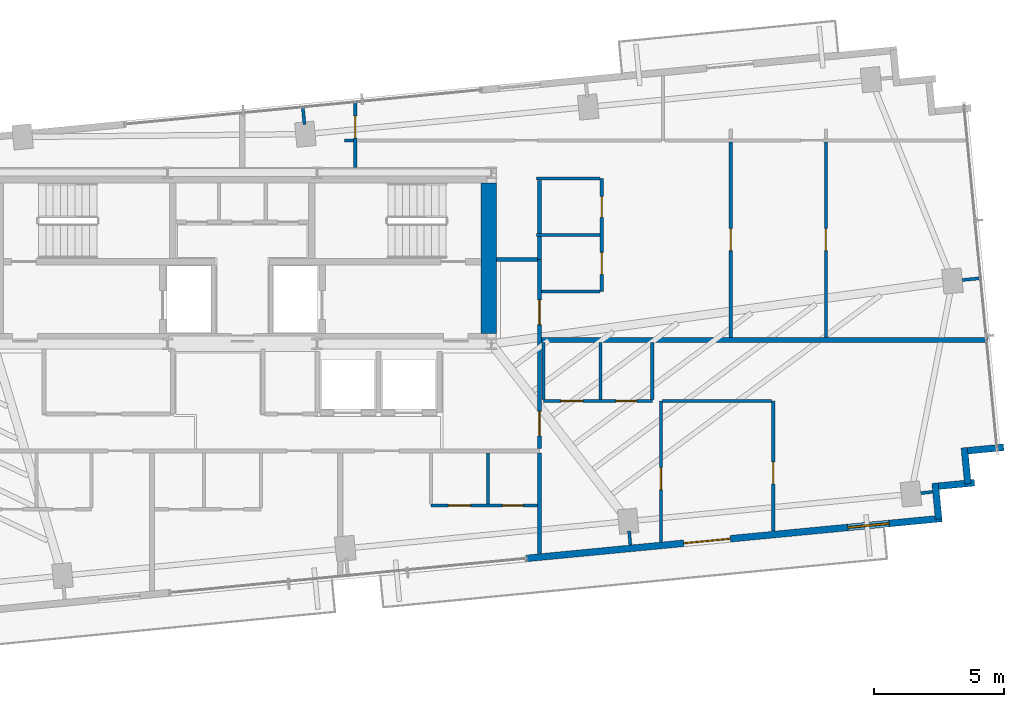
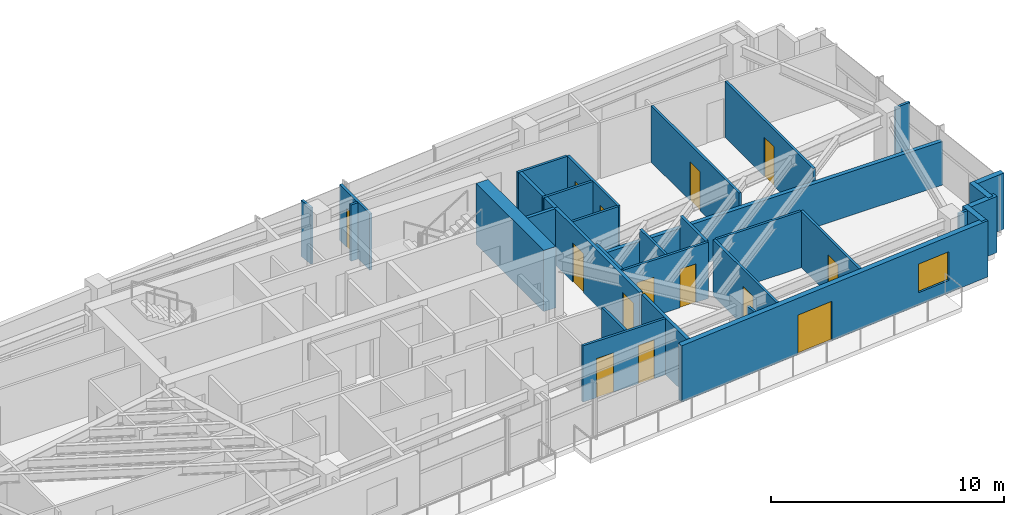
# One storey, part 15 of 18: 33 walls, 14 doors, 1 window, 15 openings.
"""IFC4 building model written with IfcOpenShell, lengths in metres."""

from ifc_helpers import new_model, si_unit, direction, frame, frame_2d, origin, place, context, subcontext, project, spatial, rectangle, extrude, source, transform, mapped, material, layer, layer_set, type_object, type_shapes, element, fill, save


model = new_model("IFC4")

# Units and contexts
model_context = context("Model", 3, precision=1e-05, world=origin(), true_north=direction((0.0, 1.0)))
body_context = subcontext(model_context, "Body", "Model", "MODEL_VIEW")
ifc_project = project(units=[si_unit("LENGTHUNIT", "METRE"), si_unit("AREAUNIT", "SQUARE_METRE"), si_unit("VOLUMEUNIT", "CUBIC_METRE"), si_unit("PLANEANGLEUNIT", "RADIAN"), si_unit("MASSUNIT", "GRAM", prefix="KILO")], contexts=[model_context])

# Site, building, storey
site_placement = place(None, origin())
site = spatial("IfcSite", under=ifc_project, at=site_placement, CompositionType="ELEMENT")
building_placement = place(site_placement, origin())
building = spatial("IfcBuilding", under=site, at=building_placement, Name="Astriad Promenade Condominiums", CompositionType="ELEMENT")
storey_placement = place(building_placement, frame((0.0, 0.0, 192.199951171875)))
storey = spatial("IfcBuildingStorey", under=building, at=storey_placement, Name="L55", CompositionType="ELEMENT", Elevation=192.199951171875)

# Walls
ifc_material_1 = material(Name="Concrete C50/60", Category="concrete")
ifc_layer_1 = layer(ifc_material_1, 0.60009765625)
ifc_layer_set_1 = layer_set([ifc_layer_1], Name="Concrete C50/60")
wall_type_1 = type_object("IfcWallType", Name="CW-SHEAR-600", PredefinedType="SHEAR", material=ifc_layer_set_1)
wall_1_placement = place(storey_placement, frame((45.5, 17.802001953125, 0.0), z_axis=(0.0, 0.0, 1.0), x_axis=(0.0, 1.0, 0.0)))
element("IfcWall", 1, at=wall_1_placement, inside=storey, type_object=wall_type_1, Name="CW-CORE-E-L55", PredefinedType="SHEAR", context=body_context, shape_type="SweptSolid", body=[
    extrude(rectangle(XDim=5.7958984375, YDim=0.60009765625, at=frame_2d((2.89794921875, 0.0))), origin(), (0.0, 0.0, 1.0), 3.199951171875),
])
ifc_material_2 = material(Name="Fire-Rated Gypsum Partition")
ifc_layer_2 = layer(ifc_material_2, 0.159912109375)
ifc_layer_set_2 = layer_set([ifc_layer_2], Name="Fire-Rated Gypsum Partition")
wall_type_2 = type_object("IfcWallType", Name="WALL-CORR-160", PredefinedType="PARTITIONING", material=ifc_layer_set_2)
wall_2_placement = place(storey_placement, frame((47.449951171875, 9.315185546875, 0.0), z_axis=(0.0, 0.0, 1.0), x_axis=(0.0, 1.0, 0.0)))
element("IfcWall", 2, at=wall_2_placement, inside=storey, type_object=wall_type_2, Name="PT-COR-E-L55", PredefinedType="PARTITIONING", context=body_context, shape_type="SweptSolid", body=[
    extrude(rectangle(XDim=3.8828125, YDim=0.159912109375, at=frame_2d((1.94140625, 0.0))), origin(), (0.0, 0.0, 1.0), 2.93994140625),
])

# Wall, openings, doors
wall_3_placement = place(storey_placement, frame((47.449951171875, 13.362060546875, 0.0), z_axis=(0.0, 0.0, 1.0), x_axis=(0.0, 1.0, 0.0)))
wall_3 = element("IfcWall", 3, at=wall_3_placement, inside=storey, type_object=wall_type_2, Name="PT-COR-E-L55-S2", PredefinedType="PARTITIONING", context=body_context, shape_type="SweptSolid", body=[
    extrude(rectangle(XDim=7.287841796875, YDim=0.159912109375, at=frame_2d((3.64404296875, 0.0))), origin(), (0.0, 0.0, 1.0), 2.93994140625),
])
opening_1_placement = place(wall_3_placement, frame((0.492919921875, 0.0, 0.0)))
opening_1 = element("IfcOpeningElement", 4, at=opening_1_placement, cuts=wall_3, Name="Opening FD60-APT-095", PredefinedType="OPENING", context=body_context, shape_type="SweptSolid", body=[
    extrude(rectangle(XDim=0.949951171875, YDim=2.06005859375, at=frame_2d((0.47509765625, 1.030029296875))), frame((0.0, 0.08984375, 0.0), z_axis=(0.0, -1.0, 0.0), x_axis=(1.0, 0.0, 0.0)), (0.0, 0.0, 1.0), 0.179931640625),
])
opening_2_placement = place(wall_3_placement, frame((4.782958984375, 0.0, 0.0)))
opening_2 = element("IfcOpeningElement", 5, at=opening_2_placement, cuts=wall_3, Name="Opening FD60-APT-095", PredefinedType="OPENING", context=body_context, shape_type="SweptSolid", body=[
    extrude(rectangle(XDim=0.949951171875, YDim=2.06005859375, at=frame_2d((0.47509765625, 1.030029296875))), frame((0.0, 0.08984375, 0.0), z_axis=(0.0, -1.0, 0.0), x_axis=(1.0, 0.0, 0.0)), (0.0, 0.0, 1.0), 0.179931640625),
])
ifc_material_3 = material(Name="Solid-Core Acoustic Timber Residence Entry Door", Category="wood")
door_type_1 = type_object("IfcDoorType", Name="FD60-APT-095", OperationType="NOTDEFINED", PredefinedType="DOOR", material=ifc_material_3)
shared_shape_1 = source(origin(), body_context, "Body", "SweptSolid", [
    extrude(rectangle(XDim=0.949951171875, YDim=2.06005859375, at=frame_2d((0.47509765625, 1.030029296875))), frame((0.0, 0.02490234375, 0.0), z_axis=(0.0, -1.0, 0.0), x_axis=(1.0, 0.0, 0.0)), (0.0, 0.0, 1.0), 0.050048828125),
])
type_shapes(door_type_1, [shared_shape_1])
door_1_placement = place(opening_1_placement, origin())
door_1 = element("IfcDoor", 6, at=door_1_placement, inside=storey, type_object=door_type_1, Name="D-ENT-L55-E1", OperationType="SINGLE_SWING_RIGHT", OverallHeight=2.06005859375, OverallWidth=0.949951171875, PredefinedType="DOOR", context=body_context, shape_type="MappedRepresentation", body=[
    mapped(shared_shape_1, transform((0.0, 0.0, 0.0), scale=1.0)),
])
fill(opening_1, door_1)
door_2_placement = place(opening_2_placement, origin())
door_2 = element("IfcDoor", 7, at=door_2_placement, inside=storey, type_object=door_type_1, Name="D-ENT-L55-E2", OperationType="SINGLE_SWING_LEFT", OverallHeight=2.06005859375, OverallWidth=0.949951171875, PredefinedType="DOOR", context=body_context, shape_type="MappedRepresentation", body=[
    mapped(shared_shape_1, transform((0.0, 0.0, 0.0), scale=1.0)),
])
fill(opening_2, door_2)

# Walls
wall_4_placement = place(storey_placement, frame((45.802001953125, 20.64990234375, 0.0), z_axis=(0.0, 0.0, 1.0), x_axis=(1.0, 0.0, 0.0)))
element("IfcWall", 8, at=wall_4_placement, inside=storey, type_object=wall_type_2, Name="PT-Z3E-N-L55", PredefinedType="PARTITIONING", context=body_context, shape_type="SweptSolid", body=[
    extrude(rectangle(XDim=1.56591796875, YDim=0.159912109375, at=frame_2d((0.782958984375, 0.0))), origin(), (0.0, 0.0, 1.0), 2.93994140625),
])
wall_5_placement = place(storey_placement, frame((47.449951171875, 20.64990234375, 0.0), z_axis=(0.0, 0.0, 1.0), x_axis=(0.0, 1.0, 0.0)))
element("IfcWall", 9, at=wall_5_placement, inside=storey, type_object=wall_type_2, Name="PT-L55-E2-PBK", PredefinedType="PARTITIONING", context=body_context, shape_type="SweptSolid", body=[
    extrude(rectangle(XDim=0.883056640625, YDim=0.159912109375, at=frame_2d((0.44140625, 0.0))), origin(), (0.0, 0.0, 1.0), 2.93994140625),
])
wall_6_placement = place(storey_placement, frame((47.449951171875, 21.656982421875, 0.0), z_axis=(0.0, 0.0, 1.0), x_axis=(0.0, 1.0, 0.0)))
element("IfcWall", 10, at=wall_6_placement, inside=storey, type_object=wall_type_2, Name="PT-L55-E2-PBK-S2", PredefinedType="PARTITIONING", context=body_context, shape_type="SweptSolid", body=[
    extrude(rectangle(XDim=2.051025390625, YDim=0.159912109375, at=frame_2d((1.025390625, 0.0))), origin(), (0.0, 0.0, 1.0), 2.93994140625),
])
ifc_material_4 = material(Name="Acoustic Double-Stud Gypsum Partition")
ifc_layer_3 = layer(ifc_material_4, 0.199951171875)
ifc_layer_set_3 = layer_set([ifc_layer_3], Name="Acoustic Double-Stud Gypsum Partition")
wall_type_3 = type_object("IfcWallType", Name="WALL-DEMISING-200", PredefinedType="PARTITIONING", material=ifc_layer_set_3)
wall_7_placement = place(storey_placement, frame((47.531982421875, 17.550048828125, 0.0), z_axis=(0.0, 0.0, 1.0), x_axis=(1.0, 0.0, 0.0)))
element("IfcWall", 11, at=wall_7_placement, inside=storey, type_object=wall_type_3, Name="PT-DEM-EE-L55", PredefinedType="PARTITIONING", context=body_context, shape_type="SweptSolid", body=[
    extrude(rectangle(XDim=17.200927734375, YDim=0.199951171875, at=frame_2d((8.6005859375, 0.0))), origin(), (0.0, 0.0, 1.0), 2.281494140625),
])
ifc_material_5 = material(Name="Precast concrete C50/60", Category="concrete")
ifc_layer_4 = layer(ifc_material_5, 0.260009765625)
ifc_layer_set_4 = layer_set([ifc_layer_4], Name="Precast concrete C50/60")
wall_type_4 = type_object("IfcWallType", Name="WALL-EXT-TWR-260", PredefinedType="STANDARD", material=ifc_layer_set_4)
wall_8_placement = place(storey_placement, frame((65.341796875, 13.416748046875, 0.0), z_axis=(0.0, 0.0, 1.0), x_axis=(-0.99540774648, -0.095725744959, 0.0)))
element("IfcWall", 12, at=wall_8_placement, inside=storey, type_object=wall_type_4, Name="W-SER-L55-14", PredefinedType="STANDARD", context=body_context, shape_type="SweptSolid", body=[
    extrude(rectangle(XDim=1.39501953125, YDim=0.260009765625, at=frame_2d((0.697509765625, 0.0))), origin(), (0.0, 0.0, 1.0), 2.93994140625),
])
wall_9_placement = place(storey_placement, frame((63.826171875, 13.4013671875, 0.0), z_axis=(0.0, 0.0, 1.0), x_axis=(0.095915846097, -0.995389446633, 0.0)))
element("IfcWall", 13, at=wall_9_placement, inside=storey, type_object=wall_type_4, Name="W-SER-L55-15", PredefinedType="STANDARD", context=body_context, shape_type="SweptSolid", body=[
    extrude(rectangle(XDim=1.394775390625, YDim=0.260009765625, at=frame_2d((0.697265625, 0.0))), origin(), (0.0, 0.0, 1.0), 2.93994140625),
])
for number, where, z_axis, x_axis, name in (
    (14, (64.21728515625, 12.052734375, 0.0), (0.0, 0.0, 1.0), (-0.99540774648, -0.095725744959, 0.0), "W-SER-L55-16"),
    (15, (62.701904296875, 12.037353515625, 0.0), (0.0, 0.0, 1.0), (0.095725744959, -0.99540774648, 0.0), "W-SER-L55-17"),
):
    element("IfcWall", number, at=place(storey_placement, frame(where, z_axis=z_axis, x_axis=x_axis)), inside=storey, type_object=wall_type_4, Name=name, PredefinedType="STANDARD", context=body_context, shape_type="SweptSolid", body=[
        extrude(rectangle(XDim=1.39501953125, YDim=0.260009765625, at=frame_2d((0.697509765625, 0.0))), origin(), (0.0, 0.0, 1.0), 2.93994140625),
    ])

# Wall, openings, door, window
wall_10_placement = place(storey_placement, frame((62.96337890625, 10.67626953125, 0.0), z_axis=(0.0, 0.0, 1.0), x_axis=(-0.995395627913, -0.095851676732, 0.0)))
wall_10 = element("IfcWall", 16, at=wall_10_placement, inside=storey, type_object=wall_type_4, Name="W-EXT-L55-S1", PredefinedType="STANDARD", context=body_context, shape_type="SweptSolid", body=[
    extrude(rectangle(XDim=16.10009765625, YDim=0.260009765625, at=frame_2d((8.050048828125, 0.0))), origin(), (0.0, 0.0, 1.0), 2.93994140625),
])
opening_3_placement = place(wall_10_placement, frame((8.19189453125, 0.0, 0.0)))
opening_3 = element("IfcOpeningElement", 17, at=opening_3_placement, cuts=wall_10, Name="Opening BD-1822-SLD", PredefinedType="OPENING", context=body_context, shape_type="SweptSolid", body=[
    extrude(rectangle(XDim=1.800048828125, YDim=2.06005859375, at=frame_2d((0.89990234375, 1.030029296875))), frame((0.0, 0.139892578125, 0.0), z_axis=(0.0, -1.0, 0.0), x_axis=(1.0, 0.0, 0.0)), (0.0, 0.0, 1.0), 0.280029296875),
])
opening_4_placement = place(wall_10_placement, frame((2.050048828125, 0.0, 0.64990234375)))
opening_4 = element("IfcOpeningElement", 18, at=opening_4_placement, cuts=wall_10, Name="Opening WIN-TWR-1620", PredefinedType="OPENING", context=body_context, shape_type="SweptSolid", body=[
    extrude(rectangle(XDim=1.60009765625, YDim=1.5, at=frame_2d((0.800048828125, 0.75))), frame((0.0, 0.139892578125, 0.0), z_axis=(0.0, -1.0, 0.0), x_axis=(1.0, 0.0, 0.0)), (0.0, 0.0, 1.0), 0.280029296875),
])
ifc_material_6 = material(Name="Thermally Broken Aluminium Sliding Balcony Door", Category="aluminium")
door_type_2 = type_object("IfcDoorType", Name="BD-1822-SLD", OperationType="NOTDEFINED", PredefinedType="DOOR", material=ifc_material_6)
shared_shape_2 = source(origin(), body_context, "Body", "SweptSolid", [
    extrude(rectangle(XDim=1.800048828125, YDim=2.06005859375, at=frame_2d((0.89990234375, 1.030029296875))), frame((0.0, 0.02490234375, 0.0), z_axis=(0.0, -1.0, 0.0), x_axis=(1.0, 0.0, 0.0)), (0.0, 0.0, 1.0), 0.050048828125),
])
type_shapes(door_type_2, [shared_shape_2])
door_3_placement = place(opening_3_placement, origin())
door_3 = element("IfcDoor", 19, at=door_3_placement, inside=storey, type_object=door_type_2, Name="BD-L55-SE", OperationType="SLIDING_TO_RIGHT", OverallHeight=2.06005859375, OverallWidth=1.800048828125, PredefinedType="DOOR", context=body_context, shape_type="MappedRepresentation", body=[
    mapped(shared_shape_2, transform((0.0, 0.0, 0.0), scale=1.0)),
])
fill(opening_3, door_3)
ifc_material_7 = material(Name="Dark Tinted Triple-Glazed Aluminium Window", Category="aluminium")
window_type = type_object("IfcWindowType", Name="WIN-TWR-1620", PartitioningType="SINGLE_PANEL", PredefinedType="WINDOW", material=ifc_material_7)
shared_shape_3 = source(origin(), body_context, "Body", "SweptSolid", [
    extrude(rectangle(XDim=1.60009765625, YDim=1.5, at=frame_2d((0.800048828125, 0.75))), frame((0.0, 0.030029296875, 0.0), z_axis=(0.0, -1.0, 0.0), x_axis=(1.0, 0.0, 0.0)), (0.0, 0.0, 1.0), 0.06005859375),
])
type_shapes(window_type, [shared_shape_3])
window_placement = place(opening_4_placement, origin())
window = element("IfcWindow", 20, at=window_placement, inside=storey, type_object=window_type, Name="WIN-L55-SE", OverallHeight=1.5, OverallWidth=1.60009765625, PartitioningType="SINGLE_PANEL", PredefinedType="WINDOW", context=body_context, shape_type="MappedRepresentation", body=[
    mapped(shared_shape_3, transform((0.0, 0.0, 0.0), scale=1.0)),
])
fill(opening_4, window)

# Wall, openings, doors
ifc_material_8 = material(Name="Acoustic Metal-Stud Gypsum Partition")
ifc_layer_5 = layer(ifc_material_8, 0.1201171875)
ifc_layer_set_5 = layer_set([ifc_layer_5], Name="Acoustic Metal-Stud Gypsum Partition")
wall_type_5 = type_object("IfcWallType", Name="WALL-PART-120", PredefinedType="PARTITIONING", material=ifc_layer_set_5)
wall_11_placement = place(storey_placement, frame((43.27001953125, 11.172119140625, 0.0), z_axis=(0.0, 0.0, 1.0), x_axis=(1.0, 0.0, 0.0)))
wall_11 = element("IfcWall", 21, at=wall_11_placement, inside=storey, type_object=wall_type_5, Name="PT-L55-S3-PS", PredefinedType="PARTITIONING", context=body_context, shape_type="SweptSolid", body=[
    extrude(rectangle(XDim=4.097900390625, YDim=0.1201171875, at=frame_2d((2.048828125, 0.0))), origin(), (0.0, 0.0, 1.0), 2.93994140625),
])
opening_5_placement = place(wall_11_placement, frame((0.675048828125, 0.0, 0.0)))
opening_5 = element("IfcOpeningElement", 22, at=opening_5_placement, cuts=wall_11, Name="Opening D-INT-085", PredefinedType="OPENING", context=body_context, shape_type="SweptSolid", body=[
    extrude(rectangle(XDim=0.85009765625, YDim=2.050048828125, at=frame_2d((0.425048828125, 1.02490234375))), frame((0.0, 0.070068359375, 0.0), z_axis=(0.0, -1.0, 0.0), x_axis=(1.0, 0.0, 0.0)), (0.0, 0.0, 1.0), 0.14013671875),
])
opening_6_placement = place(wall_11_placement, frame((2.75, 0.0, 0.0)))
opening_6 = element("IfcOpeningElement", 23, at=opening_6_placement, cuts=wall_11, Name="Opening D-WET-080", PredefinedType="OPENING", context=body_context, shape_type="SweptSolid", body=[
    extrude(rectangle(XDim=0.800048828125, YDim=2.02001953125, at=frame_2d((0.39990234375, 1.010009765625))), frame((0.0, 0.070068359375, 0.0), z_axis=(0.0, -1.0, 0.0), x_axis=(1.0, 0.0, 0.0)), (0.0, 0.0, 1.0), 0.14013671875),
])
ifc_material_9 = material(Name="Moisture-Resistant Timber Bathroom Door", Category="wood")
door_type_3 = type_object("IfcDoorType", Name="D-WET-080", OperationType="NOTDEFINED", PredefinedType="DOOR", material=ifc_material_9)
shared_shape_4 = source(origin(), body_context, "Body", "SweptSolid", [
    extrude(rectangle(XDim=0.800048828125, YDim=2.02001953125, at=frame_2d((0.39990234375, 1.010009765625))), frame((0.0, 0.02490234375, 0.0), z_axis=(0.0, -1.0, 0.0), x_axis=(1.0, 0.0, 0.0)), (0.0, 0.0, 1.0), 0.050048828125),
])
type_shapes(door_type_3, [shared_shape_4])
door_4_placement = place(opening_6_placement, origin())
door_4 = element("IfcDoor", 24, at=door_4_placement, inside=storey, type_object=door_type_3, Name="D-BTH-L55-S3", OperationType="SINGLE_SWING_LEFT", OverallHeight=2.02001953125, OverallWidth=0.800048828125, PredefinedType="DOOR", context=body_context, shape_type="MappedRepresentation", body=[
    mapped(shared_shape_4, transform((0.0, 0.0, 0.0), scale=1.0)),
])
fill(opening_6, door_4)
ifc_material_10 = material(Name="Painted Solid-Core Timber Room Door", Category="wood")
door_type_4 = type_object("IfcDoorType", Name="D-INT-085", OperationType="NOTDEFINED", PredefinedType="DOOR", material=ifc_material_10)
shared_shape_5 = source(origin(), body_context, "Body", "SweptSolid", [
    extrude(rectangle(XDim=0.85009765625, YDim=2.050048828125, at=frame_2d((0.425048828125, 1.02490234375))), frame((0.0, 0.02490234375, 0.0), z_axis=(0.0, -1.0, 0.0), x_axis=(1.0, 0.0, 0.0)), (0.0, 0.0, 1.0), 0.050048828125),
])
type_shapes(door_type_4, [shared_shape_5])
door_5_placement = place(opening_5_placement, origin())
door_5 = element("IfcDoor", 25, at=door_5_placement, inside=storey, type_object=door_type_4, Name="D-KIT-L55-S3", OperationType="SINGLE_SWING_RIGHT", OverallHeight=2.050048828125, OverallWidth=0.85009765625, PredefinedType="DOOR", context=body_context, shape_type="MappedRepresentation", body=[
    mapped(shared_shape_5, transform((0.0, 0.0, 0.0), scale=1.0)),
])
fill(opening_5, door_5)

# Wall
wall_12_placement = place(storey_placement, frame((45.469970703125, 11.23388671875, 0.0), z_axis=(0.0, 0.0, 1.0), x_axis=(0.0, 1.0, 0.0)))
element("IfcWall", 26, at=wall_12_placement, inside=storey, type_object=wall_type_5, Name="PT-L55-S3-PB", PredefinedType="PARTITIONING", context=body_context, shape_type="SweptSolid", body=[
    extrude(rectangle(XDim=1.964111328125, YDim=0.1201171875, at=frame_2d((0.98193359375, 0.0))), origin(), (0.0, 0.0, 1.0), 2.93994140625),
])

# Wall, openings, doors
wall_13_placement = place(storey_placement, frame((47.60009765625, 15.199951171875, 0.0), z_axis=(0.0, 0.0, 1.0), x_axis=(1.0, 0.0, 0.0)))
wall_13 = element("IfcWall", 27, at=wall_13_placement, inside=storey, type_object=wall_type_5, Name="PT-L55-E1-PH", PredefinedType="PARTITIONING", context=body_context, shape_type="SweptSolid", body=[
    extrude(rectangle(XDim=4.199951171875, YDim=0.1201171875, at=frame_2d((2.10009765625, 0.0))), origin(), (0.0, 0.0, 1.0), 2.93994140625),
])
opening_7_placement = place(wall_13_placement, frame((0.675048828125, 0.0, 0.0)))
opening_7 = element("IfcOpeningElement", 28, at=opening_7_placement, cuts=wall_13, Name="Opening D-INT-085", PredefinedType="OPENING", context=body_context, shape_type="SweptSolid", body=[
    extrude(rectangle(XDim=0.85009765625, YDim=2.050048828125, at=frame_2d((0.425048828125, 1.02490234375))), frame((0.0, 0.070068359375, 0.0), z_axis=(0.0, -1.0, 0.0), x_axis=(1.0, 0.0, 0.0)), (0.0, 0.0, 1.0), 0.14013671875),
])
opening_8_placement = place(wall_13_placement, frame((2.800048828125, 0.0, 0.0)))
opening_8 = element("IfcOpeningElement", 29, at=opening_8_placement, cuts=wall_13, Name="Opening D-WET-080", PredefinedType="OPENING", context=body_context, shape_type="SweptSolid", body=[
    extrude(rectangle(XDim=0.800048828125, YDim=2.02001953125, at=frame_2d((0.39990234375, 1.010009765625))), frame((0.0, 0.070068359375, 0.0), z_axis=(0.0, -1.0, 0.0), x_axis=(1.0, 0.0, 0.0)), (0.0, 0.0, 1.0), 0.14013671875),
])
door_6_placement = place(opening_8_placement, origin())
door_6 = element("IfcDoor", 30, at=door_6_placement, inside=storey, type_object=door_type_3, Name="D-BTH-L55-E1", OperationType="SINGLE_SWING_RIGHT", OverallHeight=2.02001953125, OverallWidth=0.800048828125, PredefinedType="DOOR", context=body_context, shape_type="MappedRepresentation", body=[
    mapped(shared_shape_4, transform((0.0, 0.0, 0.0), scale=1.0)),
])
fill(opening_8, door_6)
door_7_placement = place(opening_7_placement, origin())
door_7 = element("IfcDoor", 31, at=door_7_placement, inside=storey, type_object=door_type_4, Name="D-KIT-L55-E1", OperationType="SINGLE_SWING_LEFT", OverallHeight=2.050048828125, OverallWidth=0.85009765625, PredefinedType="DOOR", context=body_context, shape_type="MappedRepresentation", body=[
    mapped(shared_shape_5, transform((0.0, 0.0, 0.0), scale=1.0)),
])
fill(opening_7, door_7)

# Walls
for number, where, z_axis, x_axis, name in (
    (32, (47.60009765625, 15.261962890625, 0.0), (0.0, 0.0, 1.0), (0.0, 1.0, 0.0), "PT-L55-E1-PK1"),
    (33, (49.800048828125, 15.261962890625, 0.0), (0.0, 0.0, 1.0), (0.0, 1.0, 0.0), "PT-L55-E1-PK2"),
    (34, (51.800048828125, 15.261962890625, 0.0), (0.0, 0.0, 1.0), (0.0, 1.0, 0.0), "PT-L55-E1-PK3"),
):
    element("IfcWall", number, at=place(storey_placement, frame(where, z_axis=z_axis, x_axis=x_axis)), inside=storey, type_object=wall_type_5, Name=name, PredefinedType="PARTITIONING", context=body_context, shape_type="SweptSolid", body=[
        extrude(rectangle(XDim=2.18603515625, YDim=0.1201171875, at=frame_2d((1.093017578125, 0.0))), origin(), (0.0, 0.0, 1.0), 2.93994140625),
    ])

# Wall, opening, door
wall_14_placement = place(storey_placement, frame((52.1298828125, 9.765625, 0.0), z_axis=(0.0, 0.0, 1.0), x_axis=(0.0, 1.0, 0.0)))
wall_14 = element("IfcWall", 35, at=wall_14_placement, inside=storey, type_object=wall_type_5, Name="PT-L55-E1-CAP1", PredefinedType="PARTITIONING", context=body_context, shape_type="SweptSolid", body=[
    extrude(rectangle(XDim=5.434326171875, YDim=0.1201171875, at=frame_2d((2.71728515625, 0.0))), origin(), (0.0, 0.0, 1.0), 2.93994140625),
])
opening_9_placement = place(wall_14_placement, frame((2.019287109375, 0.0, 0.0)))
opening_9 = element("IfcOpeningElement", 36, at=opening_9_placement, cuts=wall_14, Name="Opening D-INT-085", PredefinedType="OPENING", context=body_context, shape_type="SweptSolid", body=[
    extrude(rectangle(XDim=0.85009765625, YDim=2.050048828125, at=frame_2d((0.425048828125, 1.02490234375))), frame((0.0, 0.070068359375, 0.0), z_axis=(0.0, -1.0, 0.0), x_axis=(1.0, 0.0, 0.0)), (0.0, 0.0, 1.0), 0.14013671875),
])
door_8_placement = place(opening_9_placement, origin())
door_8 = element("IfcDoor", 37, at=door_8_placement, inside=storey, type_object=door_type_4, Name="D-CAP1-L55-E1", OperationType="SINGLE_SWING_LEFT", OverallHeight=2.050048828125, OverallWidth=0.85009765625, PredefinedType="DOOR", context=body_context, shape_type="MappedRepresentation", body=[
    mapped(shared_shape_5, transform((0.0, 0.0, 0.0), scale=1.0)),
])
fill(opening_9, door_8)

wall_15_placement = place(storey_placement, frame((56.4599609375, 10.1826171875, 0.0), z_axis=(0.0, 0.0, 1.0), x_axis=(0.0, 1.0, 0.0)))
wall_15 = element("IfcWall", 38, at=wall_15_placement, inside=storey, type_object=wall_type_5, Name="PT-L55-E1-CAP2", PredefinedType="PARTITIONING", context=body_context, shape_type="SweptSolid", body=[
    extrude(rectangle(XDim=5.017333984375, YDim=0.1201171875, at=frame_2d((2.5087890625, 0.0))), origin(), (0.0, 0.0, 1.0), 2.93994140625),
])
opening_10_placement = place(wall_15_placement, frame((1.826416015625, 0.0, 0.0)))
opening_10 = element("IfcOpeningElement", 39, at=opening_10_placement, cuts=wall_15, Name="Opening D-INT-085", PredefinedType="OPENING", context=body_context, shape_type="SweptSolid", body=[
    extrude(rectangle(XDim=0.85009765625, YDim=2.050048828125, at=frame_2d((0.425048828125, 1.02490234375))), frame((0.0, 0.070068359375, 0.0), z_axis=(0.0, -1.0, 0.0), x_axis=(1.0, 0.0, 0.0)), (0.0, 0.0, 1.0), 0.14013671875),
])
door_9_placement = place(opening_10_placement, origin())
door_9 = element("IfcDoor", 40, at=door_9_placement, inside=storey, type_object=door_type_4, Name="D-CAP2-L55-E1", OperationType="SINGLE_SWING_RIGHT", OverallHeight=2.050048828125, OverallWidth=0.85009765625, PredefinedType="DOOR", context=body_context, shape_type="MappedRepresentation", body=[
    mapped(shared_shape_5, transform((0.0, 0.0, 0.0), scale=1.0)),
])
fill(opening_10, door_9)

# Wall
wall_16_placement = place(storey_placement, frame((52.19189453125, 15.199951171875, 0.0), z_axis=(0.0, 0.0, 1.0), x_axis=(1.0, 0.0, 0.0)))
element("IfcWall", 41, at=wall_16_placement, inside=storey, type_object=wall_type_5, Name="PT-L55-E1-CAP2H", PredefinedType="PARTITIONING", context=body_context, shape_type="SweptSolid", body=[
    extrude(rectangle(XDim=4.2060546875, YDim=0.1201171875, at=frame_2d((2.10302734375, 0.0))), origin(), (0.0, 0.0, 1.0), 2.93994140625),
])

# Wall, openings, doors
wall_17_placement = place(storey_placement, frame((49.85009765625, 19.419921875, 0.0), z_axis=(0.0, 0.0, 1.0), x_axis=(0.0, 1.0, 0.0)))
wall_17 = element("IfcWall", 42, at=wall_17_placement, inside=storey, type_object=wall_type_5, Name="PT-L55-E2-PV", PredefinedType="PARTITIONING", context=body_context, shape_type="SweptSolid", body=[
    extrude(rectangle(XDim=4.35009765625, YDim=0.1201171875, at=frame_2d((2.175048828125, 0.0))), origin(), (0.0, 0.0, 1.0), 2.93994140625),
])
opening_11_placement = place(wall_17_placement, frame((0.6630859375, 0.0, 0.0)))
opening_11 = element("IfcOpeningElement", 43, at=opening_11_placement, cuts=wall_17, Name="Opening D-INT-085", PredefinedType="OPENING", context=body_context, shape_type="SweptSolid", body=[
    extrude(rectangle(XDim=0.85009765625, YDim=2.050048828125, at=frame_2d((0.425048828125, 1.02490234375))), frame((0.0, 0.070068359375, 0.0), z_axis=(0.0, -1.0, 0.0), x_axis=(1.0, 0.0, 0.0)), (0.0, 0.0, 1.0), 0.14013671875),
])
opening_12_placement = place(wall_17_placement, frame((2.862060546875, 0.0, 0.0)))
opening_12 = element("IfcOpeningElement", 44, at=opening_12_placement, cuts=wall_17, Name="Opening D-WET-080", PredefinedType="OPENING", context=body_context, shape_type="SweptSolid", body=[
    extrude(rectangle(XDim=0.800048828125, YDim=2.02001953125, at=frame_2d((0.39990234375, 1.010009765625))), frame((0.0, 0.070068359375, 0.0), z_axis=(0.0, -1.0, 0.0), x_axis=(1.0, 0.0, 0.0)), (0.0, 0.0, 1.0), 0.14013671875),
])
door_10_placement = place(opening_12_placement, origin())
door_10 = element("IfcDoor", 45, at=door_10_placement, inside=storey, type_object=door_type_3, Name="D-BTH-L55-E2", OperationType="SINGLE_SWING_LEFT", OverallHeight=2.02001953125, OverallWidth=0.800048828125, PredefinedType="DOOR", context=body_context, shape_type="MappedRepresentation", body=[
    mapped(shared_shape_4, transform((0.0, 0.0, 0.0), scale=1.0)),
])
fill(opening_12, door_10)
door_11_placement = place(opening_11_placement, origin())
door_11 = element("IfcDoor", 46, at=door_11_placement, inside=storey, type_object=door_type_4, Name="D-KIT-L55-E2", OperationType="SINGLE_SWING_RIGHT", OverallHeight=2.050048828125, OverallWidth=0.85009765625, PredefinedType="DOOR", context=body_context, shape_type="MappedRepresentation", body=[
    mapped(shared_shape_5, transform((0.0, 0.0, 0.0), scale=1.0)),
])
fill(opening_11, door_11)

# Walls
wall_18_placement = place(storey_placement, frame((47.330078125, 21.594970703125, 0.0), z_axis=(0.0, 0.0, 1.0), x_axis=(1.0, 0.0, 0.0)))
element("IfcWall", 47, at=wall_18_placement, inside=storey, type_object=wall_type_5, Name="PT-L55-E2-PM", PredefinedType="PARTITIONING", context=body_context, shape_type="SweptSolid", body=[
    extrude(rectangle(XDim=2.4580078125, YDim=0.1201171875, at=frame_2d((1.22900390625, 0.0))), origin(), (0.0, 0.0, 1.0), 2.93994140625),
])
wall_19_placement = place(storey_placement, frame((47.531982421875, 19.419921875, 0.0), z_axis=(0.0, 0.0, 1.0), x_axis=(1.0, 0.0, 0.0)))
element("IfcWall", 48, at=wall_19_placement, inside=storey, type_object=wall_type_5, Name="PT-L55-E2-PS", PredefinedType="PARTITIONING", context=body_context, shape_type="SweptSolid", body=[
    extrude(rectangle(XDim=2.256103515625, YDim=0.1201171875, at=frame_2d((1.1279296875, 0.0))), origin(), (0.0, 0.0, 1.0), 2.93994140625),
])
wall_20_placement = place(storey_placement, frame((47.330078125, 23.77001953125, 0.0), z_axis=(0.0, 0.0, 1.0), x_axis=(1.0, 0.0, 0.0)))
element("IfcWall", 49, at=wall_20_placement, inside=storey, type_object=wall_type_5, Name="PT-L55-E2-PN", PredefinedType="PARTITIONING", context=body_context, shape_type="SweptSolid", body=[
    extrude(rectangle(XDim=2.4580078125, YDim=0.1201171875, at=frame_2d((1.22900390625, 0.0))), origin(), (0.0, 0.0, 1.0), 2.93994140625),
])

# Wall, opening, door
wall_21_placement = place(storey_placement, frame((40.35009765625, 24.201904296875, 0.0), z_axis=(0.0, 0.0, 1.0), x_axis=(0.0, 1.0, 0.0)))
wall_21 = element("IfcWall", 50, at=wall_21_placement, inside=storey, type_object=wall_type_5, Name="PT-L55-E2-NC", PredefinedType="PARTITIONING", context=body_context, shape_type="SweptSolid", body=[
    extrude(rectangle(XDim=2.571044921875, YDim=0.1201171875, at=frame_2d((1.28564453125, 0.0))), origin(), (0.0, 0.0, 1.0), 2.93994140625),
])
opening_13_placement = place(wall_21_placement, frame((1.139892578125, 0.0, 0.0)))
opening_13 = element("IfcOpeningElement", 51, at=opening_13_placement, cuts=wall_21, Name="Opening D-INT-085", PredefinedType="OPENING", context=body_context, shape_type="SweptSolid", body=[
    extrude(rectangle(XDim=0.85009765625, YDim=2.050048828125, at=frame_2d((0.425048828125, 1.02490234375))), frame((0.0, 0.070068359375, 0.0), z_axis=(0.0, -1.0, 0.0), x_axis=(1.0, 0.0, 0.0)), (0.0, 0.0, 1.0), 0.14013671875),
])
door_12_placement = place(opening_13_placement, origin())
door_12 = element("IfcDoor", 52, at=door_12_placement, inside=storey, type_object=door_type_4, Name="D-NC-L55-E2", OperationType="SINGLE_SWING_RIGHT", OverallHeight=2.050048828125, OverallWidth=0.85009765625, PredefinedType="DOOR", context=body_context, shape_type="MappedRepresentation", body=[
    mapped(shared_shape_5, transform((0.0, 0.0, 0.0), scale=1.0)),
])
fill(opening_13, door_12)

# Wall
wall_22_placement = place(storey_placement, frame((39.929931640625, 25.2470703125, 0.0), z_axis=(0.0, 0.0, 1.0), x_axis=(1.0, 0.0, 0.0)))
element("IfcWall", 53, at=wall_22_placement, inside=storey, type_object=wall_type_5, Name="PT-L55-E2-B1", PredefinedType="PARTITIONING", context=body_context, shape_type="SweptSolid", body=[
    extrude(rectangle(XDim=0.358154296875, YDim=0.1201171875, at=frame_2d((0.17919921875, 0.0))), origin(), (0.0, 0.0, 1.0), 2.93994140625),
])

# Wall, opening, door
wall_23_placement = place(storey_placement, frame((58.488037109375, 17.652099609375, 0.0), z_axis=(0.0, 0.0, 1.0), x_axis=(0.0, 1.0, 0.0)))
wall_23 = element("IfcWall", 54, at=wall_23_placement, inside=storey, type_object=wall_type_5, Name="PT-L55-E2-WDV1", PredefinedType="PARTITIONING", context=body_context, shape_type="SweptSolid", body=[
    extrude(rectangle(XDim=7.532958984375, YDim=0.1201171875, at=frame_2d((3.7666015625, 0.0))), origin(), (0.0, 0.0, 1.0), 2.93994140625),
])
opening_14_placement = place(wall_23_placement, frame((3.342041015625, 0.0, 0.0)))
opening_14 = element("IfcOpeningElement", 55, at=opening_14_placement, cuts=wall_23, Name="Opening D-INT-085", PredefinedType="OPENING", context=body_context, shape_type="SweptSolid", body=[
    extrude(rectangle(XDim=0.85009765625, YDim=2.050048828125, at=frame_2d((0.425048828125, 1.02490234375))), frame((0.0, 0.070068359375, 0.0), z_axis=(0.0, -1.0, 0.0), x_axis=(1.0, 0.0, 0.0)), (0.0, 0.0, 1.0), 0.14013671875),
])
door_13_placement = place(opening_14_placement, origin())
door_13 = element("IfcDoor", 56, at=door_13_placement, inside=storey, type_object=door_type_4, Name="D-WDV1-L55-E2", OperationType="SINGLE_SWING_LEFT", OverallHeight=2.050048828125, OverallWidth=0.85009765625, PredefinedType="DOOR", context=body_context, shape_type="MappedRepresentation", body=[
    mapped(shared_shape_5, transform((0.0, 0.0, 0.0), scale=1.0)),
])
fill(opening_14, door_13)

wall_24_placement = place(storey_placement, frame((54.824951171875, 17.652099609375, 0.0), z_axis=(0.0, 0.0, 1.0), x_axis=(0.0, 1.0, 0.0)))
wall_24 = element("IfcWall", 57, at=wall_24_placement, inside=storey, type_object=wall_type_5, Name="PT-L55-E2-WDV2", PredefinedType="PARTITIONING", context=body_context, shape_type="SweptSolid", body=[
    extrude(rectangle(XDim=7.532958984375, YDim=0.1201171875, at=frame_2d((3.7666015625, 0.0))), origin(), (0.0, 0.0, 1.0), 2.93994140625),
])
opening_15_placement = place(wall_24_placement, frame((3.342041015625, 0.0, 0.0)))
opening_15 = element("IfcOpeningElement", 58, at=opening_15_placement, cuts=wall_24, Name="Opening D-INT-085", PredefinedType="OPENING", context=body_context, shape_type="SweptSolid", body=[
    extrude(rectangle(XDim=0.85009765625, YDim=2.050048828125, at=frame_2d((0.425048828125, 1.02490234375))), frame((0.0, 0.070068359375, 0.0), z_axis=(0.0, -1.0, 0.0), x_axis=(1.0, 0.0, 0.0)), (0.0, 0.0, 1.0), 0.14013671875),
])
door_14_placement = place(opening_15_placement, origin())
door_14 = element("IfcDoor", 59, at=door_14_placement, inside=storey, type_object=door_type_4, Name="D-WDV2-L55-E2", OperationType="SINGLE_SWING_RIGHT", OverallHeight=2.050048828125, OverallWidth=0.85009765625, PredefinedType="DOOR", context=body_context, shape_type="MappedRepresentation", body=[
    mapped(shared_shape_5, transform((0.0, 0.0, 0.0), scale=1.0)),
])
fill(opening_15, door_14)

# Walls
wall_25_placement = place(storey_placement, frame((50.90478515625, 10.18798828125, 0.0), z_axis=(0.0, 0.0, 1.0), x_axis=(0.095772948675, -0.995403205893, 0.0)))
element("IfcWall", 60, at=wall_25_placement, inside=storey, type_object=wall_type_5, Name="PT-PIL-L55-PC04-11", PredefinedType="PARTITIONING", context=body_context, shape_type="SweptSolid", body=[
    extrude(rectangle(XDim=0.537841796875, YDim=0.1201171875, at=frame_2d((0.26904296875, 0.0))), origin(), (0.0, 0.0, 1.0), 2.93994140625),
])
wall_26_placement = place(storey_placement, frame((62.146240234375, 11.65234375, 0.0), z_axis=(0.0, 0.0, 1.0), x_axis=(0.995384576284, 0.09596637586, 0.0)))
element("IfcWall", 61, at=wall_26_placement, inside=storey, type_object=wall_type_5, Name="PT-PIL-L55-PC05-12", PredefinedType="PARTITIONING", context=body_context, shape_type="SweptSolid", body=[
    extrude(rectangle(XDim=0.4580078125, YDim=0.1201171875, at=frame_2d((0.22900390625, 0.0))), origin(), (0.0, 0.0, 1.0), 2.93994140625),
])
wall_27_placement = place(storey_placement, frame((38.39501953125, 25.861328125, 0.0), z_axis=(0.0, 0.0, 1.0), x_axis=(-0.095977354523, 0.995383517755, 0.0)))
element("IfcWall", 62, at=wall_27_placement, inside=storey, type_object=wall_type_5, Name="PT-PIL-L55-PC08-15", PredefinedType="PARTITIONING", context=body_context, shape_type="SweptSolid", body=[
    extrude(rectangle(XDim=0.719970703125, YDim=0.1201171875, at=frame_2d((0.35986328125, 0.0))), origin(), (0.0, 0.0, 1.0), 2.93994140625),
])
wall_28_placement = place(storey_placement, frame((63.74658203125, 19.863525390625, 0.0), z_axis=(0.0, 0.0, 1.0), x_axis=(0.995405496295, 0.095749140702, 0.0)))
element("IfcWall", 63, at=wall_28_placement, inside=storey, type_object=wall_type_5, Name="PT-PIL-L55-PC12-19", PredefinedType="PARTITIONING", context=body_context, shape_type="SweptSolid", body=[
    extrude(rectangle(XDim=0.759765625, YDim=0.1201171875, at=frame_2d((0.3798828125, 0.0))), origin(), (0.0, 0.0, 1.0), 2.93994140625),
])

save(model, "model.ifc")
